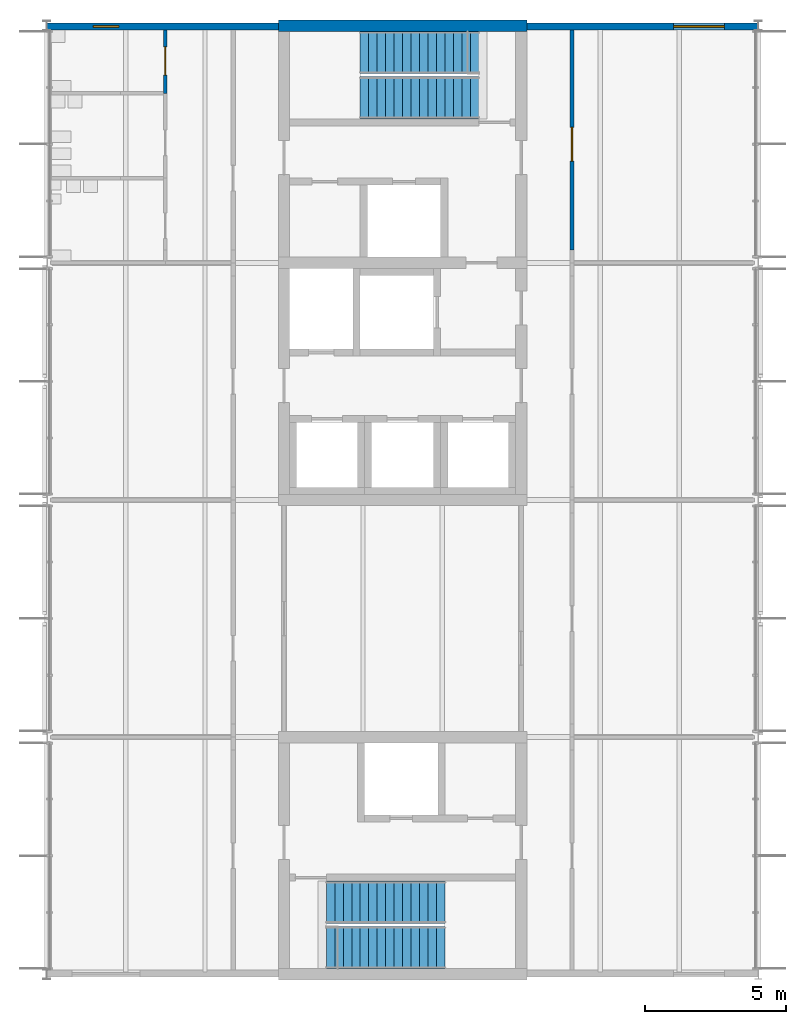
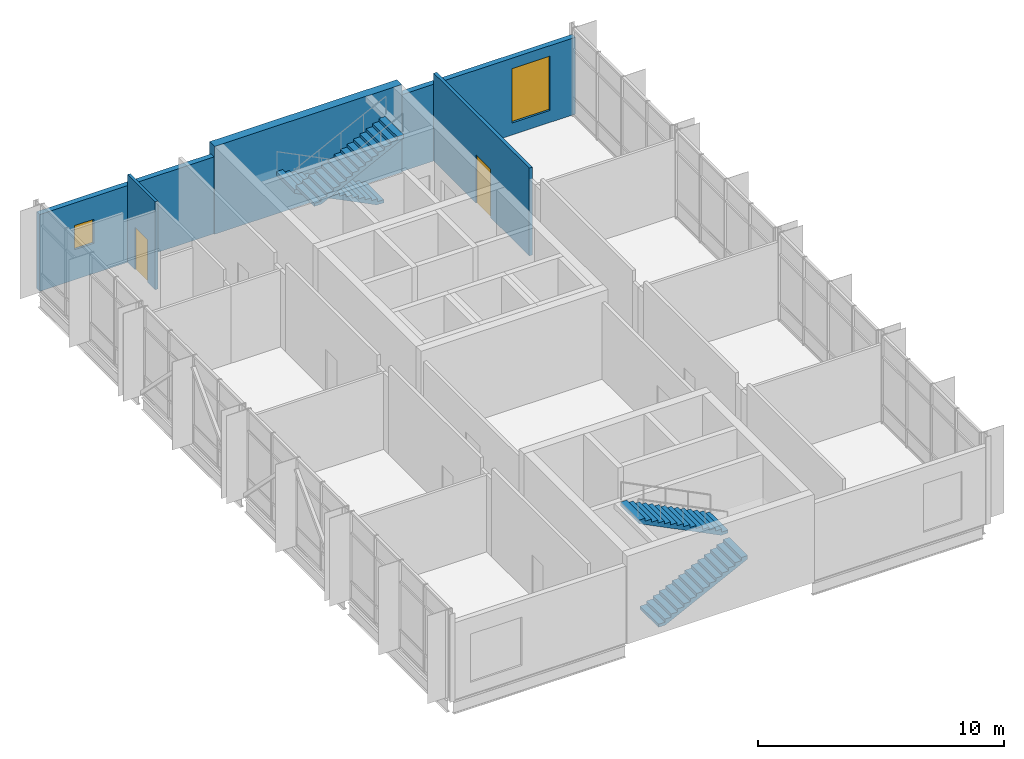
# One storey, part 11 of 17: 5 walls, 4 stair flights, 2 doors, 2 windows, 4 openings, 2 elements without a shape of their own.
"""IFC4 building model written with IfcOpenShell, lengths in metres."""

from ifc_helpers import new_model, si_unit, direction, frame, frame_2d, origin, place, context, subcontext, project, spatial, polyline, rectangle, outline, extrude, material, layer, layer_set, type_object, element, fill, aggregate, save


model = new_model("IFC4")

# Units and contexts
model_context = context("Model", 3, precision=1e-05, world=origin(), true_north=direction((0.0, 1.0)))
body_context = subcontext(model_context, "Body", "Model", "MODEL_VIEW")
ifc_project = project(units=[si_unit("LENGTHUNIT", "METRE"), si_unit("AREAUNIT", "SQUARE_METRE"), si_unit("VOLUMEUNIT", "CUBIC_METRE"), si_unit("PLANEANGLEUNIT", "RADIAN"), si_unit("MASSUNIT", "GRAM", prefix="KILO")], contexts=[model_context])

# Site, building, storey
site_placement = place(None, origin())
site = spatial("IfcSite", under=ifc_project, at=site_placement, CompositionType="ELEMENT")
building_placement = place(site_placement, origin())
building = spatial("IfcBuilding", under=site, at=building_placement, Name="Hlaing Beacon Police Headquarters", CompositionType="ELEMENT")
storey_placement = place(building_placement, frame((0.0, 0.0, 36.89990234375)))
storey = spatial("IfcBuildingStorey", under=building, at=storey_placement, Name="L08", CompositionType="ELEMENT", Elevation=36.89990234375)

# Wall
ifc_material_1 = material(Name="Concrete C60/75", Category="concrete")
ifc_layer_1 = layer(ifc_material_1, 0.39990234375)
ifc_layer_set_1 = layer_set([ifc_layer_1], Name="Concrete C60/75")
wall_type_1 = type_object("IfcWallType", Name="Core shear wall 400", PredefinedType="SHEAR", material=ifc_layer_set_1)
wall_1_placement = place(storey_placement, frame((109.0, 67.199951171875, 0.0), z_axis=(0.0, 0.0, 1.0), x_axis=(1.0, 0.0, 0.0)))
element("IfcWall", 1, at=wall_1_placement, inside=storey, type_object=wall_type_1, Name="Core shear wall", PredefinedType="SHEAR", context=body_context, shape_type="SweptSolid", body=[
    extrude(rectangle(XDim=8.800048828125, YDim=0.39990234375, at=frame_2d((4.39990234375, 0.0))), origin(), (0.0, 0.0, 1.0), 4.3701171875),
])

# Wall, opening, door
ifc_material_2 = material(Name="Gypsum board partition")
ifc_layer_2 = layer(ifc_material_2, 0.14990234375)
ifc_layer_set_2 = layer_set([ifc_layer_2], Name="Gypsum board partition")
wall_type_2 = type_object("IfcWallType", Name="Corridor wall EI 30 150", PredefinedType="PARTITIONING", material=ifc_layer_set_2)
wall_2_placement = place(storey_placement, frame((119.39990234375, 59.260009765625, 0.0), z_axis=(0.0, 0.0, 1.0), x_axis=(0.0, 1.0, 0.0)))
wall_2 = element("IfcWall", 2, at=wall_2_placement, inside=storey, type_object=wall_type_2, Name="Corridor wall EI 30 150", PredefinedType="PARTITIONING", context=body_context, shape_type="SweptSolid", body=[
    extrude(rectangle(XDim=7.7900390625, YDim=0.14990234375, at=frame_2d((3.89501953125, 0.0))), origin(), (0.0, 0.0, 1.0), 4.3701171875),
])
opening_1_placement = place(wall_2_placement, frame((3.139892578125, 0.0, 0.0)))
opening_1 = element("IfcOpeningElement", 3, at=opening_1_placement, cuts=wall_2, Name="Opening L08-004", PredefinedType="OPENING", context=body_context, shape_type="SweptSolid", body=[
    extrude(rectangle(XDim=1.199951171875, YDim=2.39990234375, at=frame_2d((0.60009765625, 1.199951171875))), frame((0.0, 0.0849609375, 0.0), z_axis=(0.0, -1.0, 0.0), x_axis=(1.0, 0.0, 0.0)), (0.0, 0.0, 1.0), 0.169921875),
])
ifc_material_3 = material(Name="Hardwood door leaf", Category="wood")
ifc_layer_3 = layer(ifc_material_3, 0.050048828125)
ifc_layer_set_3 = layer_set([ifc_layer_3], Name="Hardwood door leaf")
door_type_1 = type_object("IfcDoorType", Name="Fire public door FD30S 1200x2400", OperationType="SINGLE_SWING_LEFT", PredefinedType="DOOR", material=ifc_layer_set_3)
door_1_placement = place(opening_1_placement, frame((1.199951171875, 0.0, 0.0), z_axis=(0.0, 0.0, 1.0), x_axis=(-1.0, 0.0, 0.0)))
door_1 = element("IfcDoor", 4, at=door_1_placement, inside=storey, type_object=door_type_1, Name="Door Command Meeting Room 1", OperationType="SINGLE_SWING_RIGHT", OverallHeight=2.39990234375, OverallWidth=1.199951171875, PredefinedType="DOOR", context=body_context, shape_type="SweptSolid", body=[
    extrude(rectangle(XDim=1.199951171875, YDim=2.39990234375, at=frame_2d((0.599853515625, 1.199951171875))), frame((0.0, 0.025146484375, 0.0), z_axis=(0.0, -1.0, 0.0), x_axis=(1.0, 0.0, 0.0)), (0.0, 0.0, 1.0), 0.050048828125),
])
fill(opening_1, door_1)

ifc_material_4 = material(Name="Gypsum board partition")
ifc_layer_4 = layer(ifc_material_4, 0.125)
ifc_layer_set_4 = layer_set([ifc_layer_4], Name="Gypsum board partition")
wall_type_3 = type_object("IfcWallType", Name="Partition 125", PredefinedType="PARTITIONING", material=ifc_layer_set_4)
wall_3_placement = place(storey_placement, frame((105.0, 64.800048828125, 0.0), z_axis=(0.0, 0.0, 1.0), x_axis=(0.0, 1.0, 0.0)))
wall_3 = element("IfcWall", 5, at=wall_3_placement, inside=storey, type_object=wall_type_3, Name="Partition 125", PredefinedType="PARTITIONING", context=body_context, shape_type="SweptSolid", body=[
    extrude(rectangle(XDim=2.25, YDim=0.125, at=frame_2d((1.125, 0.0))), origin(), (0.0, 0.0, 1.0), 4.3701171875),
])
opening_2_placement = place(wall_3_placement, frame((0.64990234375, 0.0, 0.0)))
opening_2 = element("IfcOpeningElement", 6, at=opening_2_placement, cuts=wall_3, Name="Opening L08-010", PredefinedType="OPENING", context=body_context, shape_type="SweptSolid", body=[
    extrude(rectangle(XDim=1.0, YDim=2.10009765625, at=frame_2d((0.5, 1.050048828125))), frame((0.0, 0.072509765625, 0.0), z_axis=(0.0, -1.0, 0.0), x_axis=(1.0, 0.0, 0.0)), (0.0, 0.0, 1.0), 0.14501953125),
])
ifc_material_5 = material(Name="Hardwood door leaf", Category="wood")
ifc_layer_5 = layer(ifc_material_5, 0.0400390625)
ifc_layer_set_5 = layer_set([ifc_layer_5], Name="Hardwood door leaf")
door_type_2 = type_object("IfcDoorType", Name="Door 1000x2100", OperationType="SINGLE_SWING_LEFT", PredefinedType="DOOR", material=ifc_layer_set_5)
door_2_placement = place(opening_2_placement, origin())
door_2 = element("IfcDoor", 7, at=door_2_placement, inside=storey, type_object=door_type_2, Name="Door Accessible WC", OperationType="SINGLE_SWING_RIGHT", OverallHeight=2.10009765625, OverallWidth=1.0, PredefinedType="DOOR", context=body_context, shape_type="SweptSolid", body=[
    extrude(rectangle(XDim=1.0, YDim=2.10009765625, at=frame_2d((0.5, 1.050048828125))), frame((0.0, 0.02001953125, 0.0), z_axis=(0.0, -1.0, 0.0), x_axis=(1.0, 0.0, 0.0)), (0.0, 0.0, 1.0), 0.0400390625),
])
fill(opening_2, door_2)

# Wall, opening, window
ifc_material_6 = material(Name="Concrete C40/50 precast ribbed cladding", Category="concrete")
ifc_layer_6 = layer(ifc_material_6, 0.25)
ifc_layer_set_6 = layer_set([ifc_layer_6], Name="Concrete C40/50 precast ribbed cladding")
wall_type_4 = type_object("IfcWallType", Name="Precast ribbed wall 250", PredefinedType="SOLIDWALL", material=ifc_layer_set_6)
wall_4_placement = place(storey_placement, frame((125.99462890625, 67.175048828125, 0.0), z_axis=(0.0, 0.0, 1.0), x_axis=(-1.0, 0.0, 0.0)))
wall_4 = element("IfcWall", 8, at=wall_4_placement, inside=storey, type_object=wall_type_4, Name="External wall L08 N001", PredefinedType="SOLIDWALL", context=body_context, shape_type="SweptSolid", body=[
    extrude(rectangle(XDim=8.194580078125, YDim=0.25, at=frame_2d((4.09716796875, 0.0))), origin(), (0.0, 0.0, 1.0), 3.819091796875),
])
opening_3_placement = place(wall_4_placement, frame((1.194580078125, 0.0, 0.60009765625)))
opening_3 = element("IfcOpeningElement", 9, at=opening_3_placement, cuts=wall_4, Name="Opening WN40", PredefinedType="OPENING", context=body_context, shape_type="SweptSolid", body=[
    extrude(rectangle(XDim=1.800048828125, YDim=2.699951171875, at=frame_2d((0.89990234375, 1.35009765625))), frame((0.0, 0.135009765625, 0.0), z_axis=(0.0, -1.0, 0.0), x_axis=(1.0, 0.0, 0.0)), (0.0, 0.0, 1.0), 0.27001953125),
])
ifc_material_7 = material(Name="Aluminium frame with solar control glazing", Category="aluminium")
window_type_1 = type_object("IfcWindowType", Name="Wide window 1800x2700 frame 60", PartitioningType="SINGLE_PANEL", PredefinedType="WINDOW", material=ifc_material_7)
window_1_placement = place(opening_3_placement, origin())
window_1 = element("IfcWindow", 10, at=window_1_placement, inside=storey, type_object=window_type_1, Name="Window L08 WM", OverallHeight=2.699951171875, OverallWidth=1.800048828125, PartitioningType="SINGLE_PANEL", PredefinedType="WINDOW", context=body_context, shape_type="SweptSolid", body=[
    extrude(rectangle(XDim=1.800048828125, YDim=2.699951171875, at=frame_2d((0.89990234375, 1.35009765625))), frame((0.0, 0.030029296875, 0.0), z_axis=(0.0, -1.0, 0.0), x_axis=(1.0, 0.0, 0.0)), (0.0, 0.0, 1.0), 0.06005859375),
])
fill(opening_3, window_1)

wall_5_placement = place(storey_placement, frame((109.0, 67.175048828125, 0.0), z_axis=(0.0, 0.0, 1.0), x_axis=(-1.0, 0.0, 0.0)))
wall_5 = element("IfcWall", 11, at=wall_5_placement, inside=storey, type_object=wall_type_4, Name="External wall L08 N002", PredefinedType="SOLIDWALL", context=body_context, shape_type="SweptSolid", body=[
    extrude(rectangle(XDim=8.194580078125, YDim=0.25, at=frame_2d((4.09716796875, 0.0))), origin(), (0.0, 0.0, 1.0), 3.819091796875),
])
opening_4_placement = place(wall_5_placement, frame((5.64990234375, 0.0, 1.5)))
opening_4 = element("IfcOpeningElement", 12, at=opening_4_placement, cuts=wall_5, Name="Opening WN41", PredefinedType="OPENING", context=body_context, shape_type="SweptSolid", body=[
    extrude(rectangle(XDim=0.89990234375, YDim=1.199951171875, at=frame_2d((0.449951171875, 0.60009765625))), frame((0.0, 0.135009765625, 0.0), z_axis=(0.0, -1.0, 0.0), x_axis=(1.0, 0.0, 0.0)), (0.0, 0.0, 1.0), 0.27001953125),
])
ifc_material_8 = material(Name="Aluminium frame with solar control glazing", Category="aluminium")
window_type_2 = type_object("IfcWindowType", Name="Service room window 900x1200 frame 60", PartitioningType="SINGLE_PANEL", PredefinedType="WINDOW", material=ifc_material_8)
window_2_placement = place(opening_4_placement, origin())
window_2 = element("IfcWindow", 13, at=window_2_placement, inside=storey, type_object=window_type_2, Name="Window L08 WK", OverallHeight=1.199951171875, OverallWidth=0.89990234375, PartitioningType="SINGLE_PANEL", PredefinedType="WINDOW", context=body_context, shape_type="SweptSolid", body=[
    extrude(rectangle(XDim=0.89990234375, YDim=1.199951171875, at=frame_2d((0.449951171875, 0.60009765625))), frame((0.0, 0.030029296875, 0.0), z_axis=(0.0, -1.0, 0.0), x_axis=(1.0, 0.0, 0.0)), (0.0, 0.0, 1.0), 0.06005859375),
])
fill(opening_4, window_2)

# Stair, stair flights
ifc_material_9 = material(Name="Concrete C40/50", Category="concrete")
stair_type = type_object("IfcStairType", Name="Half-turn stair 1500 wide, 4500 rise", PredefinedType="HALF_TURN_STAIR", material=ifc_material_9)
stair_1_placement = place(storey_placement, origin())
stair_1 = element("IfcStair", 14, at=stair_1_placement, inside=storey, type_object=stair_type, Name="Stair ST-M", PredefinedType="HALF_TURN_STAIR")
ifc_material_10 = material(Name="Concrete C40/50", Category="concrete")
stair_flight_type = type_object("IfcStairFlightType", Name="Stair flight 1500 wide, 15 risers", PredefinedType="STRAIGHT", material=ifc_material_10)
stair_flight_1_placement = place(storey_placement, frame((116.10009765625, 66.25, 0.0), z_axis=(0.0, 0.0, 1.0), x_axis=(-1.0, 0.0, 0.0)))
stair_flight_1 = element("IfcStairFlight", 15, at=stair_flight_1_placement, type_object=stair_flight_type, Name="ST-M flight 1", NumberOfRisers=15, NumberOfTreads=14, PredefinedType="STRAIGHT", RiserHeight=0.15, TreadLength=0.3, context=body_context, shape_type="SweptSolid", body=[
    extrude(outline(polyline([(0.0, 0.0), (0.0, 0.14990234375), (0.300048828125, 0.14990234375), (0.300048828125, 0.300048828125), (0.60009765625, 0.300048828125), (0.60009765625, 0.449951171875), (0.89990234375, 0.449951171875), (0.89990234375, 0.60009765625), (1.199951171875, 0.60009765625), (1.199951171875, 0.75), (1.5, 0.75), (1.5, 0.89990234375), (1.800048828125, 0.89990234375), (1.800048828125, 1.050048828125), (2.10009765625, 1.050048828125), (2.10009765625, 1.199951171875), (2.39990234375, 1.199951171875), (2.39990234375, 1.35009765625), (2.699951171875, 1.35009765625), (2.699951171875, 1.5), (3.0, 1.5), (3.0, 1.64990234375), (3.300048828125, 1.64990234375), (3.300048828125, 1.800048828125), (3.60009765625, 1.800048828125), (3.60009765625, 1.949951171875), (3.89990234375, 1.949951171875), (3.89990234375, 2.10009765625), (4.199951171875, 2.10009765625), (4.199951171875, 2.25), (4.199951171875, 1.932373046875), (0.335205078125, 0.0), (0.0, 0.0)])), frame((0.0, 0.75, 0.0), z_axis=(0.0, -1.0, 0.0), x_axis=(1.0, 0.0, 0.0)), (0.0, 0.0, 1.0), 1.5),
])
stair_flight_2_placement = place(storey_placement, frame((111.89990234375, 64.64990234375, 2.25), z_axis=(0.0, 0.0, 1.0), x_axis=(1.0, 0.0, 0.0)))
stair_flight_2 = element("IfcStairFlight", 16, at=stair_flight_2_placement, type_object=stair_flight_type, Name="ST-M flight 2", NumberOfRisers=15, NumberOfTreads=14, PredefinedType="STRAIGHT", RiserHeight=0.15, TreadLength=0.3, context=body_context, shape_type="SweptSolid", body=[
    extrude(outline(polyline([(0.0, 0.0), (0.0, 0.14990234375), (0.300048828125, 0.14990234375), (0.300048828125, 0.300048828125), (0.60009765625, 0.300048828125), (0.60009765625, 0.449951171875), (0.89990234375, 0.449951171875), (0.89990234375, 0.60009765625), (1.199951171875, 0.60009765625), (1.199951171875, 0.75), (1.5, 0.75), (1.5, 0.89990234375), (1.800048828125, 0.89990234375), (1.800048828125, 1.050048828125), (2.10009765625, 1.050048828125), (2.10009765625, 1.199951171875), (2.39990234375, 1.199951171875), (2.39990234375, 1.35009765625), (2.699951171875, 1.35009765625), (2.699951171875, 1.5), (3.0, 1.5), (3.0, 1.64990234375), (3.300048828125, 1.64990234375), (3.300048828125, 1.800048828125), (3.60009765625, 1.800048828125), (3.60009765625, 1.949951171875), (3.89990234375, 1.949951171875), (3.89990234375, 2.10009765625), (4.199951171875, 2.10009765625), (4.199951171875, 2.25), (4.199951171875, 1.932373046875), (0.335205078125, 0.0), (0.0, 0.0)])), frame((0.0, 0.75, 0.0), z_axis=(0.0, -1.0, 0.0), x_axis=(1.0, 0.0, 0.0)), (0.0, 0.0, 1.0), 1.5),
])
aggregate(stair_1, [stair_flight_1, stair_flight_2])

stair_2_placement = place(storey_placement, origin())
stair_2 = element("IfcStair", 17, at=stair_2_placement, inside=storey, type_object=stair_type, Name="Stair ST-L", PredefinedType="HALF_TURN_STAIR")
stair_flight_3_placement = place(storey_placement, frame((110.699951171875, 34.550048828125, 0.0), z_axis=(0.0, 0.0, 1.0), x_axis=(1.0, 0.0, 0.0)))
stair_flight_3 = element("IfcStairFlight", 18, at=stair_flight_3_placement, type_object=stair_flight_type, Name="ST-L flight 1", NumberOfRisers=15, NumberOfTreads=14, PredefinedType="STRAIGHT", RiserHeight=0.15, TreadLength=0.3, context=body_context, shape_type="SweptSolid", body=[
    extrude(outline(polyline([(0.0, 0.0), (0.0, 0.14990234375), (0.300048828125, 0.14990234375), (0.300048828125, 0.300048828125), (0.60009765625, 0.300048828125), (0.60009765625, 0.449951171875), (0.89990234375, 0.449951171875), (0.89990234375, 0.60009765625), (1.199951171875, 0.60009765625), (1.199951171875, 0.75), (1.5, 0.75), (1.5, 0.89990234375), (1.800048828125, 0.89990234375), (1.800048828125, 1.050048828125), (2.10009765625, 1.050048828125), (2.10009765625, 1.199951171875), (2.39990234375, 1.199951171875), (2.39990234375, 1.35009765625), (2.699951171875, 1.35009765625), (2.699951171875, 1.5), (3.0, 1.5), (3.0, 1.64990234375), (3.300048828125, 1.64990234375), (3.300048828125, 1.800048828125), (3.60009765625, 1.800048828125), (3.60009765625, 1.949951171875), (3.89990234375, 1.949951171875), (3.89990234375, 2.10009765625), (4.199951171875, 2.10009765625), (4.199951171875, 2.25), (4.199951171875, 1.932373046875), (0.335205078125, 0.0), (0.0, 0.0)])), frame((0.0, 0.75, 0.0), z_axis=(0.0, -1.0, 0.0), x_axis=(1.0, 0.0, 0.0)), (0.0, 0.0, 1.0), 1.5),
])
stair_flight_4_placement = place(storey_placement, frame((114.89990234375, 36.14990234375, 2.25), z_axis=(0.0, 0.0, 1.0), x_axis=(-1.0, 0.0, 0.0)))
stair_flight_4 = element("IfcStairFlight", 19, at=stair_flight_4_placement, type_object=stair_flight_type, Name="ST-L flight 2", NumberOfRisers=15, NumberOfTreads=14, PredefinedType="STRAIGHT", RiserHeight=0.15, TreadLength=0.3, context=body_context, shape_type="SweptSolid", body=[
    extrude(outline(polyline([(0.0, 0.0), (0.0, 0.14990234375), (0.300048828125, 0.14990234375), (0.300048828125, 0.300048828125), (0.60009765625, 0.300048828125), (0.60009765625, 0.449951171875), (0.89990234375, 0.449951171875), (0.89990234375, 0.60009765625), (1.199951171875, 0.60009765625), (1.199951171875, 0.75), (1.5, 0.75), (1.5, 0.89990234375), (1.800048828125, 0.89990234375), (1.800048828125, 1.050048828125), (2.10009765625, 1.050048828125), (2.10009765625, 1.199951171875), (2.39990234375, 1.199951171875), (2.39990234375, 1.35009765625), (2.699951171875, 1.35009765625), (2.699951171875, 1.5), (3.0, 1.5), (3.0, 1.64990234375), (3.300048828125, 1.64990234375), (3.300048828125, 1.800048828125), (3.60009765625, 1.800048828125), (3.60009765625, 1.949951171875), (3.89990234375, 1.949951171875), (3.89990234375, 2.10009765625), (4.199951171875, 2.10009765625), (4.199951171875, 2.25), (4.199951171875, 1.932373046875), (0.335205078125, 0.0), (0.0, 0.0)])), frame((0.0, 0.75, 0.0), z_axis=(0.0, -1.0, 0.0), x_axis=(1.0, 0.0, 0.0)), (0.0, 0.0, 1.0), 1.5),
])
aggregate(stair_2, [stair_flight_3, stair_flight_4])

save(model, "model.ifc")
